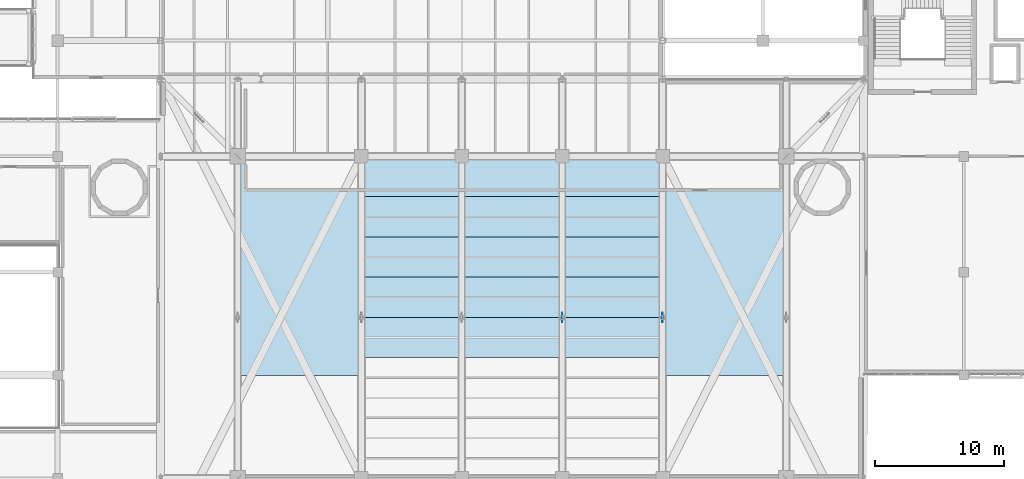
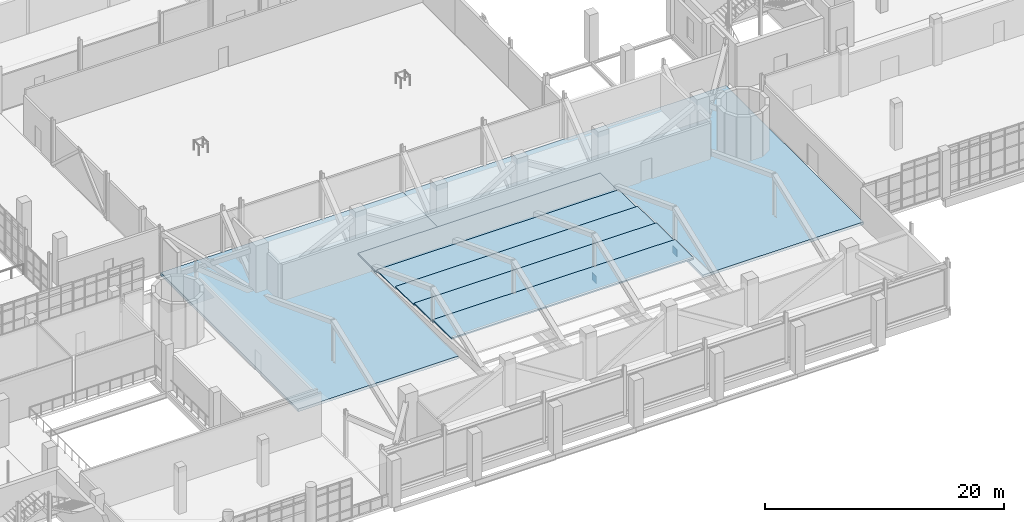
# One storey, part 93 of 127: 7 slabs, 2 plates.
"""IFC4 building model written with IfcOpenShell, lengths in metres."""

from ifc_helpers import new_model, si_unit, derived_unit, direction, frame, origin, origin_2d, place, context, subcontext, project, spatial, polyline, rectangle, outline, extrude, material, layer, layer_set, type_object, element, save


model = new_model("IFC4")

# Units and contexts
model_context = context("Model", 3, precision=1e-05, world=origin(), true_north=direction((0.0, 1.0)))
body_context = subcontext(model_context, "Body", "Model", "MODEL_VIEW")
ifc_project = project(units=[si_unit("LENGTHUNIT", "METRE"), si_unit("AREAUNIT", "SQUARE_METRE"), si_unit("VOLUMEUNIT", "CUBIC_METRE"), si_unit("PLANEANGLEUNIT", "RADIAN"), si_unit("MASSUNIT", "GRAM", prefix="KILO"), derived_unit("THERMALTRANSMITTANCEUNIT", [(si_unit("POWERUNIT", "WATT"), 1), (si_unit("LENGTHUNIT", "METRE"), -2), (si_unit("THERMODYNAMICTEMPERATUREUNIT", "KELVIN"), -1)])], contexts=[model_context])

# Site, building, storey
site_placement = place(None, origin())
site = spatial("IfcSite", under=ifc_project, at=site_placement, CompositionType="ELEMENT")
building_placement = place(site_placement, origin())
building = spatial("IfcBuilding", under=site, at=building_placement, Name="Nallur Shell Playhouse", CompositionType="ELEMENT")
storey_placement = place(building_placement, frame((0.0, 0.0, 5.39990234375)))
storey = spatial("IfcBuildingStorey", under=building, at=storey_placement, Name="L02", CompositionType="ELEMENT", Elevation=5.39990234375)

# Plates
ifc_material_1 = material(Name="Steel E350", Category="steel")
ifc_layer_1 = layer(ifc_material_1, 0.02490234375)
ifc_layer_set_1 = layer_set([ifc_layer_1], Name="Steel E350")
plate_type = type_object("IfcPlateType", Name="PT-GUSSET-25", PredefinedType="USERDEFINED", material=ifc_layer_set_1)
for number, where, z_axis, x_axis, name in (
    (1, (95.199951171875, 28.5, -0.635009765625), (0.0, 0.0, 1.0), (1.0, 0.0, 0.0), "Transfer truss node gusset plate TN-01 (TT-6-3)"),
    (2, (103.0, 28.5, -0.635009765625), (0.0, 0.0, 1.0), (1.0, 0.0, 0.0), "Transfer truss node gusset plate TN-01 (TT-7-3)"),
):
    element("IfcPlate", number, at=place(storey_placement, frame(where, z_axis=z_axis, x_axis=x_axis)), inside=storey, type_object=plate_type, Name=name, ObjectType="GUSSET PLATE", PredefinedType="USERDEFINED", context=body_context, shape_type="SweptSolid", body=[
        extrude(rectangle(XDim=0.02490234375, YDim=0.75, at=origin_2d()), origin(), (0.0, 0.0, 1.0), 0.75),
    ])

# Slabs
ifc_material_2 = material(Name="Precast concrete M40", Category="concrete")
ifc_layer_2 = layer(ifc_material_2, 0.139892578125)
ifc_layer_set_2 = layer_set([ifc_layer_2], Name="Precast concrete M40")
slab_type_1 = type_object("IfcSlabType", Name="SL-TIER-140", PredefinedType="USERDEFINED", material=ifc_layer_set_2)
slab_1_placement = place(storey_placement, frame((0.0, 0.0, 0.010009765625)))
element("IfcSlab", 3, at=slab_1_placement, inside=storey, type_object=slab_type_1, Name="Stand stalls seating tier row 1", ObjectType="SEATING TIER", PredefinedType="USERDEFINED", context=body_context, shape_type="SweptSolid", body=[
    extrude(outline(polyline([(79.60009765625, 41.0), (103.0, 41.0), (103.0, 37.875), (79.60009765625, 37.875), (79.60009765625, 41.0)])), origin(), (0.0, 0.0, 1.0), 0.14013671875),
])
slab_2_placement = place(storey_placement, frame((0.0, 0.0, 0.210205078125)))
element("IfcSlab", 4, at=slab_2_placement, inside=storey, type_object=slab_type_1, Name="Stand stalls seating tier row 2", ObjectType="SEATING TIER", PredefinedType="USERDEFINED", context=body_context, shape_type="SweptSolid", body=[
    extrude(outline(polyline([(79.60009765625, 37.875), (103.0, 37.875), (103.0, 34.75), (79.60009765625, 34.75), (79.60009765625, 37.875)])), origin(), (0.0, 0.0, 1.0), 0.139892578125),
])
slab_3_placement = place(storey_placement, frame((0.0, 0.0, 0.41015625)))
element("IfcSlab", 5, at=slab_3_placement, inside=storey, type_object=slab_type_1, Name="Stand stalls seating tier row 3", ObjectType="SEATING TIER", PredefinedType="USERDEFINED", context=body_context, shape_type="SweptSolid", body=[
    extrude(outline(polyline([(79.60009765625, 34.75), (103.0, 34.75), (103.0, 31.625), (79.60009765625, 31.625), (79.60009765625, 34.75)])), origin(), (0.0, 0.0, 1.0), 0.139892578125),
])
slab_4_placement = place(storey_placement, frame((0.0, 0.0, 0.610107421875)))
element("IfcSlab", 6, at=slab_4_placement, inside=storey, type_object=slab_type_1, Name="Stand stalls seating tier row 4", ObjectType="SEATING TIER", PredefinedType="USERDEFINED", context=body_context, shape_type="SweptSolid", body=[
    extrude(outline(polyline([(79.60009765625, 31.625), (103.0, 31.625), (103.0, 28.5), (79.60009765625, 28.5), (79.60009765625, 31.625)])), origin(), (0.0, 0.0, 1.0), 0.139892578125),
])
slab_5_placement = place(storey_placement, frame((0.0, 0.0, 0.81005859375)))
element("IfcSlab", 7, at=slab_5_placement, inside=storey, type_object=slab_type_1, Name="Stand stalls seating tier row 5", ObjectType="SEATING TIER", PredefinedType="USERDEFINED", context=body_context, shape_type="SweptSolid", body=[
    extrude(outline(polyline([(79.60009765625, 28.5), (103.0, 28.5), (103.0, 25.375), (79.60009765625, 25.375), (79.60009765625, 28.5)])), origin(), (0.0, 0.0, 1.0), 0.14013671875),
])
ifc_material_3 = material(Name="Concrete M40", Category="concrete")
ifc_layer_3 = layer(ifc_material_3, 0.280029296875)
ifc_layer_set_3 = layer_set([ifc_layer_3], Name="Concrete M40")
slab_type_2 = type_object("IfcSlabType", Name="SL-TRANS-280", PredefinedType="FLOOR", material=ifc_layer_set_3)
slab_6_placement = place(storey_placement, frame((0.0, 0.0, -0.27978515625)))
element("IfcSlab", 8, at=slab_6_placement, inside=storey, type_object=slab_type_2, Name="L02 structural floor slab panel 12", PredefinedType="FLOOR", context=body_context, shape_type="SweptSolid", body=[
    extrude(outline(polyline([(64.0, 47.0), (87.39990234375, 47.0), (87.39990234375, 38.199951171875), (79.5, 38.199951171875), (79.5, 24.0), (64.0, 24.0), (64.0, 44.0), (64.0, 47.0)])), origin(), (0.0, 0.0, 1.0), 0.27978515625),
])
slab_7_placement = place(storey_placement, frame((0.0, 0.0, -0.27978515625)))
element("IfcSlab", 9, at=slab_7_placement, inside=storey, type_object=slab_type_2, Name="L02 structural floor slab panel 16", PredefinedType="FLOOR", context=body_context, shape_type="SweptSolid", body=[
    extrude(outline(polyline([(118.60009765625, 47.0), (118.60009765625, 24.0), (103.10009765625, 24.0), (103.10009765625, 38.199951171875), (87.39990234375, 38.199951171875), (87.39990234375, 47.0), (103.0, 47.0), (118.60009765625, 47.0)])), origin(), (0.0, 0.0, 1.0), 0.27978515625),
])

save(model, "model.ifc")
